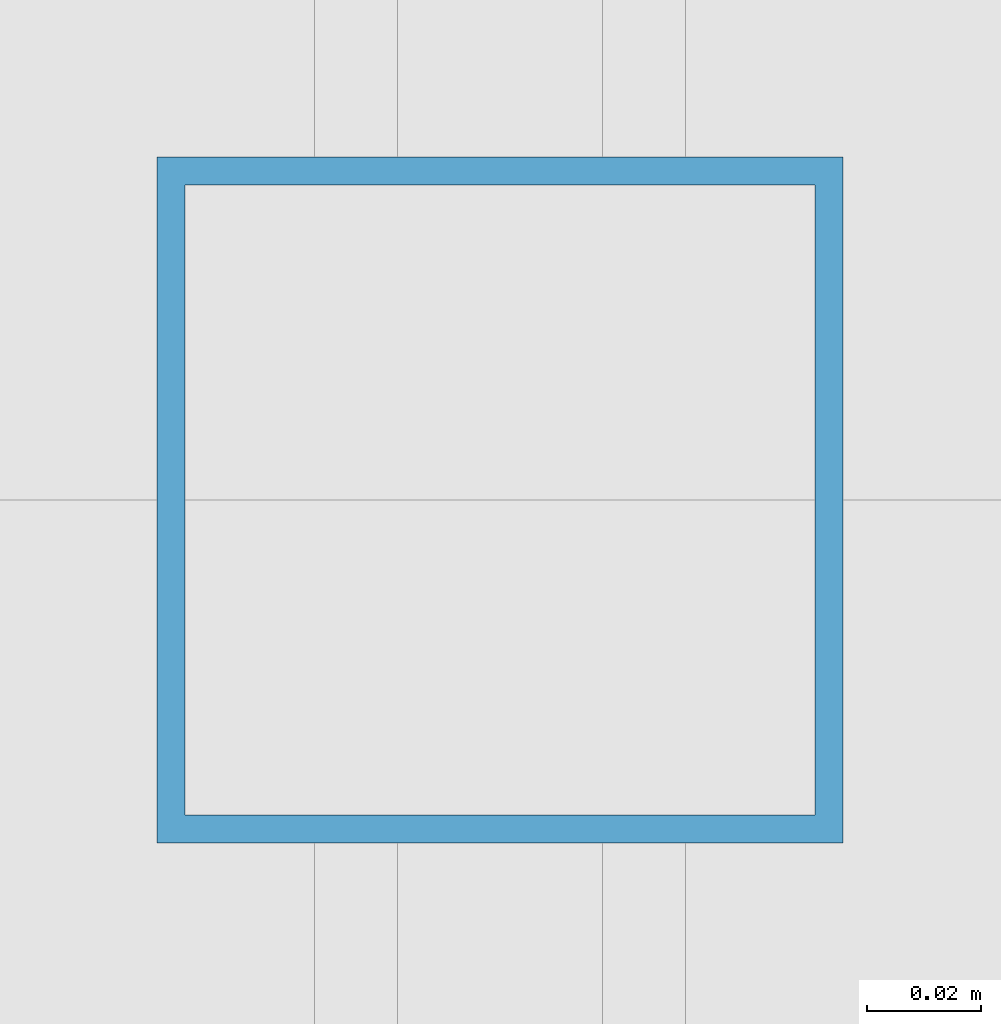
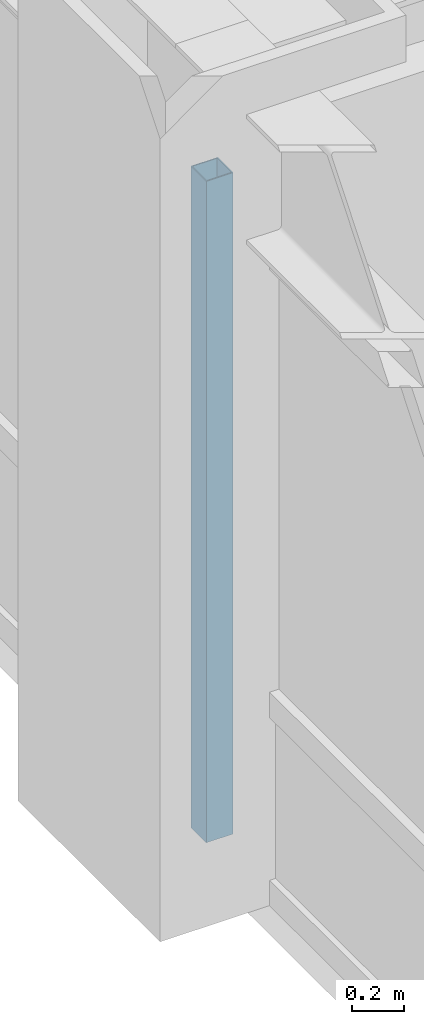
# One storey, part 6 of 25: 1 member, 1 element without a shape of its own.
"""IFC4 building model written with IfcOpenShell, lengths in metres."""

from ifc_helpers import new_model, si_unit, direction, frame, origin, origin_2d, place, context, subcontext, project, spatial, hollow_rectangle, extrude, source, transform, mapped, material, material_profile, profile_set, type_object, element, aggregate, save


model = new_model("IFC4")

# Units and contexts
model_context = context("Model", 3, precision=1e-05, world=origin(), true_north=direction((0.0, 1.0)))
body_context = subcontext(model_context, "Body", "Model", "MODEL_VIEW")
ifc_project = project(units=[si_unit("LENGTHUNIT", "METRE"), si_unit("AREAUNIT", "SQUARE_METRE"), si_unit("VOLUMEUNIT", "CUBIC_METRE"), si_unit("PLANEANGLEUNIT", "RADIAN"), si_unit("MASSUNIT", "GRAM", prefix="KILO")], contexts=[model_context])

# Site, building, storey
site_placement = place(None, origin())
site = spatial("IfcSite", under=ifc_project, at=site_placement, CompositionType="ELEMENT")
building_placement = place(site_placement, origin())
building = spatial("IfcBuilding", under=site, at=building_placement, Name="Khorayat Bourse Tower", CompositionType="ELEMENT")
storey_placement = place(building_placement, frame((0.0, 0.0, 199.10009765625)))
storey = spatial("IfcBuildingStorey", under=building, at=storey_placement, Name="L46", CompositionType="ELEMENT", Elevation=199.10009765625)

# Curtain wall, member
ifc_material = material(Name="Aluminium EN AW-6063 T6", Category="aluminium")
curtain_wall_type = type_object("IfcCurtainWallType", Name="CW-SYS-03", PredefinedType="NOTDEFINED", material=ifc_material)
curtain_wall_placement = place(storey_placement, origin())
curtain_wall = element("IfcCurtainWall", 1, at=curtain_wall_placement, inside=storey, type_object=curtain_wall_type, Name="L46 Curtain Wall CW-L46-W1", PredefinedType="NOTDEFINED")
ifc_material_profile = material_profile(ifc_material, hollow_rectangle(XDim=0.1201171875, YDim=0.1201171875, WallThickness=0.0048828125, at=origin_2d()), Name="ALU 120x120x5")
ifc_profile_set = profile_set([ifc_material_profile], Name="Aluminium EN AW-6063 T6")
member_type = type_object("IfcMemberType", Name="CWM-VERT-120", PredefinedType="MULLION", material=ifc_profile_set)
shared_shape = source(origin(), body_context, "Body", "SweptSolid", [
    extrude(hollow_rectangle(XDim=0.1201171875, YDim=0.1201171875, WallThickness=0.0048828125, at=origin_2d()), origin(), (0.0, 0.0, 1.0), 3.1298828125),
])
member_placement = place(storey_placement, frame((-30.0, 0.0, 0.0), z_axis=(0.0, 0.0, 1.0), x_axis=(-1.0, 0.0, 0.0)))
member = element("IfcMember", 2, at=member_placement, type_object=member_type, Name="CW-L46-W1 Vertical Mullion 2", PredefinedType="MULLION", context=body_context, shape_type="MappedRepresentation", body=[
    mapped(shared_shape, transform((0.0, 0.0, 0.0), scale=1.0)),
])
aggregate(curtain_wall, [member])

save(model, "model.ifc")
